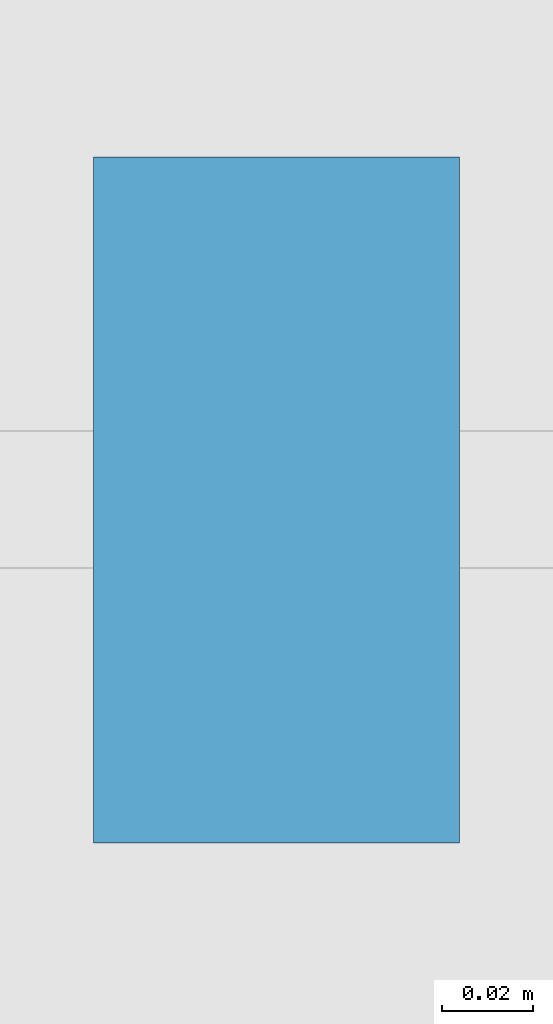
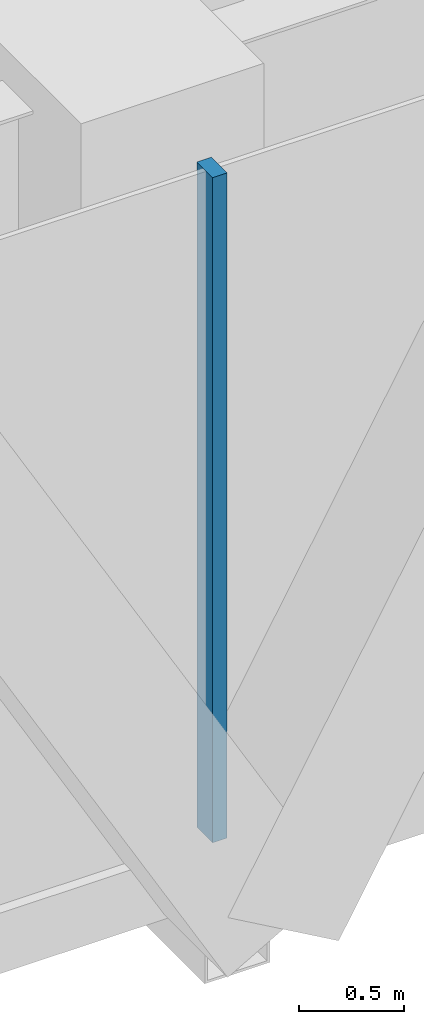
# One storey, part 5 of 26: 1 member, 1 element without a shape of its own.
"""IFC4 building model written with IfcOpenShell, lengths in metres."""

from ifc_helpers import new_model, si_unit, direction, frame, origin, origin_2d, place, context, subcontext, project, spatial, rectangle, extrude, material, layer, layer_set, material_profile, profile_set, type_object, element, aggregate, save


model = new_model("IFC4")

# Units and contexts
model_context = context("Model", 3, precision=1e-05, world=origin(), true_north=direction((0.0, 1.0)))
body_context = subcontext(model_context, "Body", "Model", "MODEL_VIEW")
ifc_project = project(units=[si_unit("LENGTHUNIT", "METRE"), si_unit("AREAUNIT", "SQUARE_METRE"), si_unit("VOLUMEUNIT", "CUBIC_METRE"), si_unit("PLANEANGLEUNIT", "RADIAN"), si_unit("MASSUNIT", "GRAM", prefix="KILO")], contexts=[model_context])

# Site, building, storey
site_placement = place(None, origin())
site = spatial("IfcSite", under=ifc_project, at=site_placement, CompositionType="ELEMENT")
building_placement = place(site_placement, origin())
building = spatial("IfcBuilding", under=site, at=building_placement, Name="Firuza Gate Tower and Library", CompositionType="ELEMENT")
storey_placement = place(building_placement, frame((0.0, 0.0, 40.0)))
storey = spatial("IfcBuildingStorey", under=building, at=storey_placement, Name="L08", CompositionType="ELEMENT", Elevation=40.0)

# Curtain wall, member
ifc_material_1 = material(Name="Aluminium 6063-T6", Category="aluminium")
ifc_layer = layer(ifc_material_1, 0.14990234375)
ifc_layer_set = layer_set([ifc_layer], Name="Unitised curtain wall, offices")
curtain_wall_type = type_object("IfcCurtainWallType", Name="Unitised curtain wall, offices", PredefinedType="NOTDEFINED", material=ifc_layer_set)
curtain_wall_placement = place(storey_placement, origin())
curtain_wall = element("IfcCurtainWall", 1, at=curtain_wall_placement, inside=storey, type_object=curtain_wall_type, Name="CW1 L08 S face", PredefinedType="NOTDEFINED")
ifc_material_2 = material(Name="Aluminium 6063-T6", Category="aluminium")
ifc_material_profile = material_profile(ifc_material_2, rectangle(XDim=0.14990234375, YDim=0.080078125, at=origin_2d()))
ifc_profile_set = profile_set([ifc_material_profile], Name="Aluminium 6063-T6")
member_type = type_object("IfcMemberType", Name="Curtain wall mullion 80x150", PredefinedType="MULLION", material=ifc_profile_set)
member_placement = place(storey_placement, frame((75.0, 54.140380859375, 0.14990234375), z_axis=(0.0, 0.0, 1.0), x_axis=(0.0, 1.0, 0.0)))
member = element("IfcMember", 2, at=member_placement, type_object=member_type, Name="Mullion", PredefinedType="MULLION", context=body_context, shape_type="SweptSolid", body=[
    extrude(rectangle(XDim=0.14990234375, YDim=0.080078125, at=origin_2d()), origin(), (0.0, 0.0, 1.0), 3.85009765625),
])
aggregate(curtain_wall, [member])

save(model, "model.ifc")
